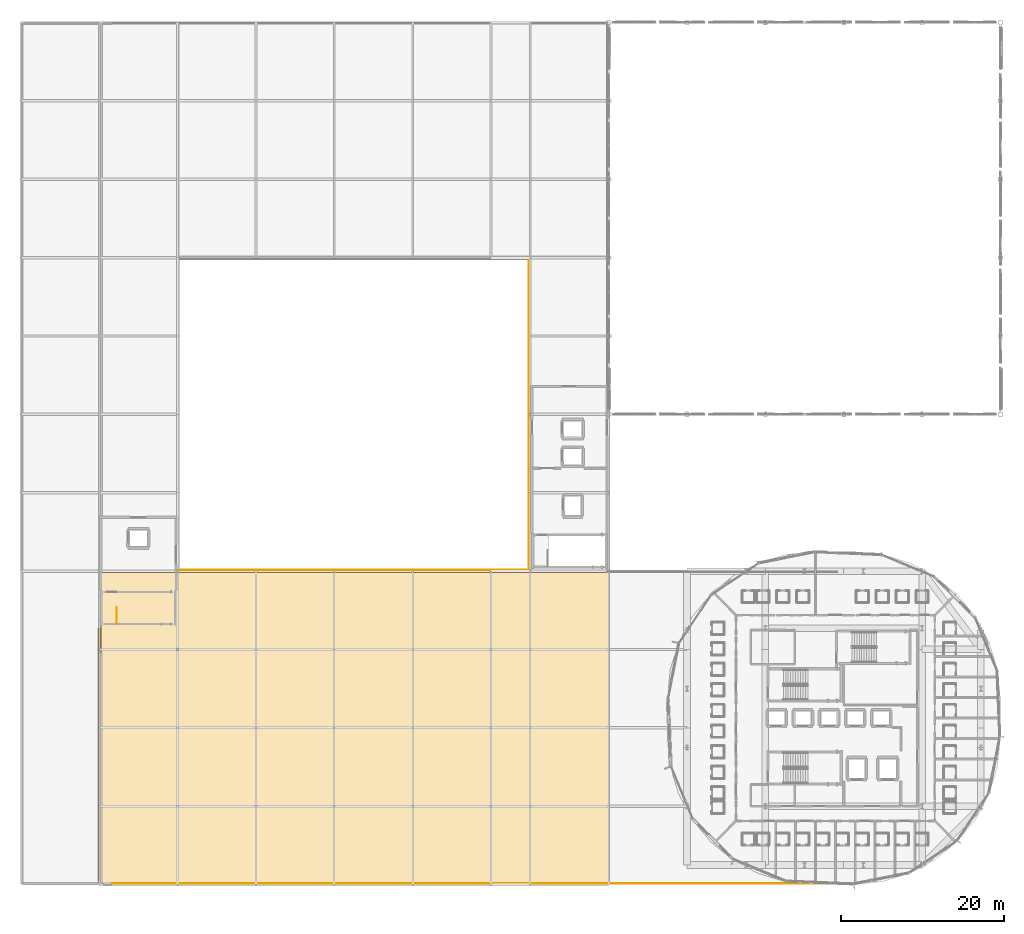
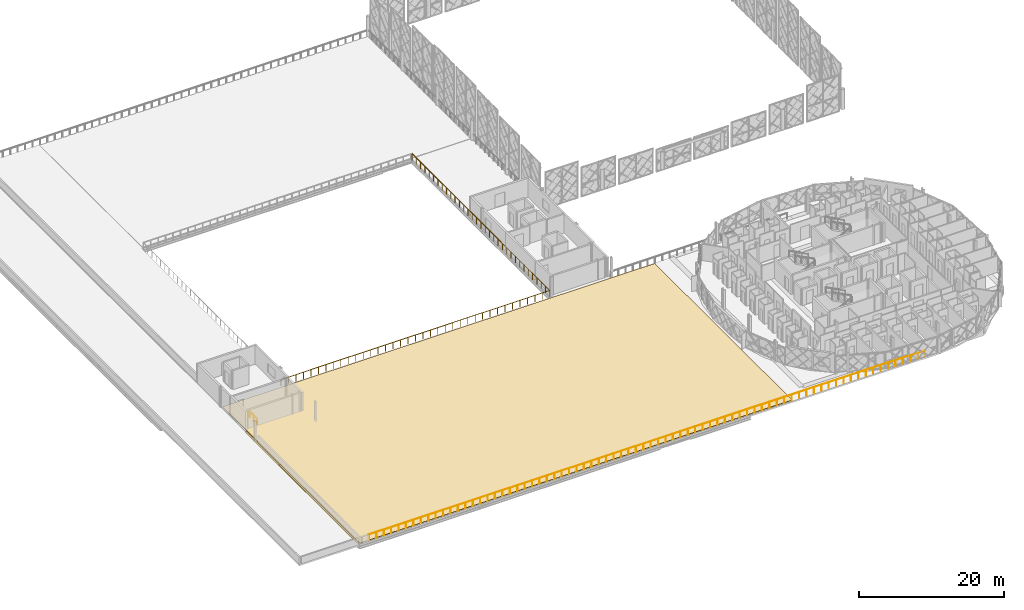
# One storey, part 39 of 53: 3 railings, 2 coverings.
"""IFC4 building model written with IfcOpenShell, lengths in metres."""

from ifc_helpers import new_model, si_unit, direction, frame, origin, origin_2d, place, context, subcontext, project, spatial, polyline, circle, outline, extrude, material, layer, layer_set, type_object, element, save


model = new_model("IFC4")

# Units and contexts
model_context = context("Model", 3, precision=1e-05, world=origin(), true_north=direction((0.0, 1.0)))
body_context = subcontext(model_context, "Body", "Model", "MODEL_VIEW")
ifc_project = project(units=[si_unit("LENGTHUNIT", "METRE"), si_unit("AREAUNIT", "SQUARE_METRE"), si_unit("VOLUMEUNIT", "CUBIC_METRE"), si_unit("PLANEANGLEUNIT", "RADIAN"), si_unit("MASSUNIT", "GRAM", prefix="KILO")], contexts=[model_context])

# Site, building, storey
site_placement = place(None, origin())
site = spatial("IfcSite", under=ifc_project, at=site_placement, CompositionType="ELEMENT")
building_placement = place(site_placement, origin())
building = spatial("IfcBuilding", under=site, at=building_placement, Name="Zevrakil Square Congress Hotel", CompositionType="ELEMENT")
storey_placement = place(building_placement, frame((0.0, 0.0, 14.699951171875)))
storey = spatial("IfcBuildingStorey", under=building, at=storey_placement, Name="L04", CompositionType="ELEMENT", Elevation=14.699951171875)

# Coverings
ifc_material_1 = material(Name="Honed Addis Basalt Stone Flooring", Category="masonry")
ifc_layer_1 = layer(ifc_material_1, 0.030029296875)
ifc_layer_set_1 = layer_set([ifc_layer_1], Name="Honed Addis Basalt Stone Flooring")
covering_type_1 = type_object("IfcCoveringType", Name="COV-FLOR-BASALT-030", PredefinedType="FLOORING", material=ifc_layer_set_1)
covering_1_placement = place(storey_placement, origin())
element("IfcCovering", 1, at=covering_1_placement, inside=storey, type_object=covering_type_1, Name="L04 flush movement-joint floor cover plate 11", PredefinedType="FLOORING", context=body_context, shape_type="SweptSolid", body=[
    extrude(outline(polyline([(55.080078125, 7.60009765625), (55.320068359375, 7.60009765625), (55.320068359375, 38.60009765625), (55.080078125, 38.60009765625), (55.080078125, 7.60009765625)])), origin(), (0.0, 0.0, 1.0), 0.030029296875),
])
ifc_material_2 = material(Name="EPDM Weatherproof Roof Membrane")
ifc_layer_2 = layer(ifc_material_2, 0.06005859375)
ifc_layer_set_2 = layer_set([ifc_layer_2], Name="EPDM Weatherproof Roof Membrane")
covering_type_2 = type_object("IfcCoveringType", Name="COV-ROOF-MEMB-060", PredefinedType="ROOFING", material=ifc_layer_set_2)
covering_2_placement = place(storey_placement, origin())
element("IfcCovering", 2, at=covering_2_placement, inside=storey, type_object=covering_type_2, Name="L04 weatherproof roof membrane covering COV-ROOF-L04-STH", PredefinedType="ROOFING", context=body_context, shape_type="SweptSolid", body=[
    extrude(outline(polyline([(55.39990234375, 7.39990234375), (124.39990234375, 7.39990234375), (124.39990234375, 45.39990234375), (55.39990234375, 45.39990234375), (55.39990234375, 7.39990234375)])), origin(), (0.0, 0.0, 1.0), 0.06005859375),
])

# Railings
ifc_material_3 = material(Name="Steel S355", Category="steel")
railing_type_1 = type_object("IfcRailingType", Name="RLG-STAIR-GUARD-1100", PredefinedType="BALUSTRADE", material=ifc_material_3)
railing_1_placement = place(storey_placement, frame((57.35009765625, 39.199951171875, 0.0)))
element("IfcRailing", 3, at=railing_1_placement, inside=storey, type_object=railing_type_1, Name="L04 ST04 top well guard 1", PredefinedType="BALUSTRADE", context=body_context, shape_type="SweptSolid", body=[
    extrude(circle(Radius=0.02392578125, at=origin_2d()), frame((0.0, 0.0, 1.076171875), z_axis=(0.0, 1.0, 0.0), x_axis=(-1.0, 0.0, 0.0)), (0.0, 0.0, 1.0), 1.949951171875),
    extrude(circle(Radius=0.02099609375, at=origin_2d()), origin(), (0.0, 0.0, 1.0), 1.052001953125),
    extrude(circle(Radius=0.02099609375, at=origin_2d()), frame((0.0, 0.97509765625, 0.0)), (0.0, 0.0, 1.0), 1.052001953125),
    extrude(circle(Radius=0.02099609375, at=origin_2d()), frame((0.0, 1.949951171875, 0.0)), (0.0, 0.0, 1.0), 1.052001953125),
])
ifc_material_4 = material(Name="Steel S355", Category="steel")
railing_type_2 = type_object("IfcRailingType", Name="RLG-TERR-1100", PredefinedType="BALUSTRADE", material=ifc_material_4)
railing_2_placement = place(storey_placement, frame((56.800048828125, 7.320068359375, 0.0)))
element("IfcRailing", 4, at=railing_2_placement, inside=storey, type_object=railing_type_2, Name="L04 terrace and void safety balustrade guard 34", PredefinedType="BALUSTRADE", context=body_context, shape_type="SweptSolid", body=[
    extrude(circle(Radius=0.02392578125, at=origin_2d()), frame((0.0, 0.0, 1.076171875), z_axis=(1.0, 0.0, 0.0), x_axis=(0.0, 1.0, 0.0)), (0.0, 0.0, 1.0), 88.800048828125),
    extrude(circle(Radius=0.02099609375, at=origin_2d()), origin(), (0.0, 0.0, 1.0), 1.052001953125),
    extrude(circle(Radius=0.02099609375, at=origin_2d()), frame((1.18408203125, 0.0, 0.0)), (0.0, 0.0, 1.0), 1.052001953125),
    extrude(circle(Radius=0.02099609375, at=origin_2d()), frame((2.367919921875, 0.0, 0.0)), (0.0, 0.0, 1.0), 1.052001953125),
    extrude(circle(Radius=0.02099609375, at=origin_2d()), frame((3.552001953125, 0.0, 0.0)), (0.0, 0.0, 1.0), 1.052001953125),
    extrude(circle(Radius=0.02099609375, at=origin_2d()), frame((4.736083984375, 0.0, 0.0)), (0.0, 0.0, 1.0), 1.052001953125),
    extrude(circle(Radius=0.02099609375, at=origin_2d()), frame((5.919921875, 0.0, 0.0)), (0.0, 0.0, 1.0), 1.052001953125),
    extrude(circle(Radius=0.02099609375, at=origin_2d()), frame((7.10400390625, 0.0, 0.0)), (0.0, 0.0, 1.0), 1.052001953125),
    extrude(circle(Radius=0.02099609375, at=origin_2d()), frame((8.2880859375, 0.0, 0.0)), (0.0, 0.0, 1.0), 1.052001953125),
    extrude(circle(Radius=0.02099609375, at=origin_2d()), frame((9.471923828125, 0.0, 0.0)), (0.0, 0.0, 1.0), 1.052001953125),
    extrude(circle(Radius=0.02099609375, at=origin_2d()), frame((10.656005859375, 0.0, 0.0)), (0.0, 0.0, 1.0), 1.052001953125),
    extrude(circle(Radius=0.02099609375, at=origin_2d()), frame((11.840087890625, 0.0, 0.0)), (0.0, 0.0, 1.0), 1.052001953125),
    extrude(circle(Radius=0.02099609375, at=origin_2d()), frame((13.02392578125, 0.0, 0.0)), (0.0, 0.0, 1.0), 1.052001953125),
    extrude(circle(Radius=0.02099609375, at=origin_2d()), frame((14.2080078125, 0.0, 0.0)), (0.0, 0.0, 1.0), 1.052001953125),
    extrude(circle(Radius=0.02099609375, at=origin_2d()), frame((15.39208984375, 0.0, 0.0)), (0.0, 0.0, 1.0), 1.052001953125),
    extrude(circle(Radius=0.02099609375, at=origin_2d()), frame((16.575927734375, 0.0, 0.0)), (0.0, 0.0, 1.0), 1.052001953125),
    extrude(circle(Radius=0.02099609375, at=origin_2d()), frame((17.760009765625, 0.0, 0.0)), (0.0, 0.0, 1.0), 1.052001953125),
    extrude(circle(Radius=0.02099609375, at=origin_2d()), frame((18.944091796875, 0.0, 0.0)), (0.0, 0.0, 1.0), 1.052001953125),
    extrude(circle(Radius=0.02099609375, at=origin_2d()), frame((20.1279296875, 0.0, 0.0)), (0.0, 0.0, 1.0), 1.052001953125),
    extrude(circle(Radius=0.02099609375, at=origin_2d()), frame((21.31201171875, 0.0, 0.0)), (0.0, 0.0, 1.0), 1.052001953125),
    extrude(circle(Radius=0.02099609375, at=origin_2d()), frame((22.49609375, 0.0, 0.0)), (0.0, 0.0, 1.0), 1.052001953125),
    extrude(circle(Radius=0.02099609375, at=origin_2d()), frame((23.679931640625, 0.0, 0.0)), (0.0, 0.0, 1.0), 1.052001953125),
    extrude(circle(Radius=0.02099609375, at=origin_2d()), frame((24.864013671875, 0.0, 0.0)), (0.0, 0.0, 1.0), 1.052001953125),
    extrude(circle(Radius=0.02099609375, at=origin_2d()), frame((26.048095703125, 0.0, 0.0)), (0.0, 0.0, 1.0), 1.052001953125),
    extrude(circle(Radius=0.02099609375, at=origin_2d()), frame((27.23193359375, 0.0, 0.0)), (0.0, 0.0, 1.0), 1.052001953125),
    extrude(circle(Radius=0.02099609375, at=origin_2d()), frame((28.416015625, 0.0, 0.0)), (0.0, 0.0, 1.0), 1.052001953125),
    extrude(circle(Radius=0.02099609375, at=origin_2d()), frame((29.60009765625, 0.0, 0.0)), (0.0, 0.0, 1.0), 1.052001953125),
    extrude(circle(Radius=0.02099609375, at=origin_2d()), frame((30.783935546875, 0.0, 0.0)), (0.0, 0.0, 1.0), 1.052001953125),
    extrude(circle(Radius=0.02099609375, at=origin_2d()), frame((31.968017578125, 0.0, 0.0)), (0.0, 0.0, 1.0), 1.052001953125),
    extrude(circle(Radius=0.02099609375, at=origin_2d()), frame((33.152099609375, 0.0, 0.0)), (0.0, 0.0, 1.0), 1.052001953125),
    extrude(circle(Radius=0.02099609375, at=origin_2d()), frame((34.3359375, 0.0, 0.0)), (0.0, 0.0, 1.0), 1.052001953125),
    extrude(circle(Radius=0.02099609375, at=origin_2d()), frame((35.52001953125, 0.0, 0.0)), (0.0, 0.0, 1.0), 1.052001953125),
    extrude(circle(Radius=0.02099609375, at=origin_2d()), frame((36.7041015625, 0.0, 0.0)), (0.0, 0.0, 1.0), 1.052001953125),
    extrude(circle(Radius=0.02099609375, at=origin_2d()), frame((37.887939453125, 0.0, 0.0)), (0.0, 0.0, 1.0), 1.052001953125),
    extrude(circle(Radius=0.02099609375, at=origin_2d()), frame((39.072021484375, 0.0, 0.0)), (0.0, 0.0, 1.0), 1.052001953125),
    extrude(circle(Radius=0.02099609375, at=origin_2d()), frame((40.256103515625, 0.0, 0.0)), (0.0, 0.0, 1.0), 1.052001953125),
    extrude(circle(Radius=0.02099609375, at=origin_2d()), frame((41.43994140625, 0.0, 0.0)), (0.0, 0.0, 1.0), 1.052001953125),
    extrude(circle(Radius=0.02099609375, at=origin_2d()), frame((42.6240234375, 0.0, 0.0)), (0.0, 0.0, 1.0), 1.052001953125),
    extrude(circle(Radius=0.02099609375, at=origin_2d()), frame((43.80810546875, 0.0, 0.0)), (0.0, 0.0, 1.0), 1.052001953125),
    extrude(circle(Radius=0.02099609375, at=origin_2d()), frame((44.991943359375, 0.0, 0.0)), (0.0, 0.0, 1.0), 1.052001953125),
    extrude(circle(Radius=0.02099609375, at=origin_2d()), frame((46.176025390625, 0.0, 0.0)), (0.0, 0.0, 1.0), 1.052001953125),
    extrude(circle(Radius=0.02099609375, at=origin_2d()), frame((47.360107421875, 0.0, 0.0)), (0.0, 0.0, 1.0), 1.052001953125),
    extrude(circle(Radius=0.02099609375, at=origin_2d()), frame((48.5439453125, 0.0, 0.0)), (0.0, 0.0, 1.0), 1.052001953125),
    extrude(circle(Radius=0.02099609375, at=origin_2d()), frame((49.72802734375, 0.0, 0.0)), (0.0, 0.0, 1.0), 1.052001953125),
    extrude(circle(Radius=0.02099609375, at=origin_2d()), frame((50.912109375, 0.0, 0.0)), (0.0, 0.0, 1.0), 1.052001953125),
    extrude(circle(Radius=0.02099609375, at=origin_2d()), frame((52.095947265625, 0.0, 0.0)), (0.0, 0.0, 1.0), 1.052001953125),
    extrude(circle(Radius=0.02099609375, at=origin_2d()), frame((53.280029296875, 0.0, 0.0)), (0.0, 0.0, 1.0), 1.052001953125),
    extrude(circle(Radius=0.02099609375, at=origin_2d()), frame((54.464111328125, 0.0, 0.0)), (0.0, 0.0, 1.0), 1.052001953125),
    extrude(circle(Radius=0.02099609375, at=origin_2d()), frame((55.64794921875, 0.0, 0.0)), (0.0, 0.0, 1.0), 1.052001953125),
    extrude(circle(Radius=0.02099609375, at=origin_2d()), frame((56.83203125, 0.0, 0.0)), (0.0, 0.0, 1.0), 1.052001953125),
    extrude(circle(Radius=0.02099609375, at=origin_2d()), frame((58.01611328125, 0.0, 0.0)), (0.0, 0.0, 1.0), 1.052001953125),
    extrude(circle(Radius=0.02099609375, at=origin_2d()), frame((59.199951171875, 0.0, 0.0)), (0.0, 0.0, 1.0), 1.052001953125),
    extrude(circle(Radius=0.02099609375, at=origin_2d()), frame((60.384033203125, 0.0, 0.0)), (0.0, 0.0, 1.0), 1.052001953125),
    extrude(circle(Radius=0.02099609375, at=origin_2d()), frame((61.568115234375, 0.0, 0.0)), (0.0, 0.0, 1.0), 1.052001953125),
    extrude(circle(Radius=0.02099609375, at=origin_2d()), frame((62.751953125, 0.0, 0.0)), (0.0, 0.0, 1.0), 1.052001953125),
    extrude(circle(Radius=0.02099609375, at=origin_2d()), frame((63.93603515625, 0.0, 0.0)), (0.0, 0.0, 1.0), 1.052001953125),
    extrude(circle(Radius=0.02099609375, at=origin_2d()), frame((65.1201171875, 0.0, 0.0)), (0.0, 0.0, 1.0), 1.052001953125),
    extrude(circle(Radius=0.02099609375, at=origin_2d()), frame((66.303955078125, 0.0, 0.0)), (0.0, 0.0, 1.0), 1.052001953125),
    extrude(circle(Radius=0.02099609375, at=origin_2d()), frame((67.488037109375, 0.0, 0.0)), (0.0, 0.0, 1.0), 1.052001953125),
    extrude(circle(Radius=0.02099609375, at=origin_2d()), frame((68.672119140625, 0.0, 0.0)), (0.0, 0.0, 1.0), 1.052001953125),
    extrude(circle(Radius=0.02099609375, at=origin_2d()), frame((69.85595703125, 0.0, 0.0)), (0.0, 0.0, 1.0), 1.052001953125),
    extrude(circle(Radius=0.02099609375, at=origin_2d()), frame((71.0400390625, 0.0, 0.0)), (0.0, 0.0, 1.0), 1.052001953125),
    extrude(circle(Radius=0.02099609375, at=origin_2d()), frame((72.22412109375, 0.0, 0.0)), (0.0, 0.0, 1.0), 1.052001953125),
    extrude(circle(Radius=0.02099609375, at=origin_2d()), frame((73.407958984375, 0.0, 0.0)), (0.0, 0.0, 1.0), 1.052001953125),
    extrude(circle(Radius=0.02099609375, at=origin_2d()), frame((74.592041015625, 0.0, 0.0)), (0.0, 0.0, 1.0), 1.052001953125),
    extrude(circle(Radius=0.02099609375, at=origin_2d()), frame((75.776123046875, 0.0, 0.0)), (0.0, 0.0, 1.0), 1.052001953125),
    extrude(circle(Radius=0.02099609375, at=origin_2d()), frame((76.9599609375, 0.0, 0.0)), (0.0, 0.0, 1.0), 1.052001953125),
    extrude(circle(Radius=0.02099609375, at=origin_2d()), frame((78.14404296875, 0.0, 0.0)), (0.0, 0.0, 1.0), 1.052001953125),
    extrude(circle(Radius=0.02099609375, at=origin_2d()), frame((79.328125, 0.0, 0.0)), (0.0, 0.0, 1.0), 1.052001953125),
    extrude(circle(Radius=0.02099609375, at=origin_2d()), frame((80.511962890625, 0.0, 0.0)), (0.0, 0.0, 1.0), 1.052001953125),
    extrude(circle(Radius=0.02099609375, at=origin_2d()), frame((81.696044921875, 0.0, 0.0)), (0.0, 0.0, 1.0), 1.052001953125),
    extrude(circle(Radius=0.02099609375, at=origin_2d()), frame((82.880126953125, 0.0, 0.0)), (0.0, 0.0, 1.0), 1.052001953125),
    extrude(circle(Radius=0.02099609375, at=origin_2d()), frame((84.06396484375, 0.0, 0.0)), (0.0, 0.0, 1.0), 1.052001953125),
    extrude(circle(Radius=0.02099609375, at=origin_2d()), frame((85.248046875, 0.0, 0.0)), (0.0, 0.0, 1.0), 1.052001953125),
    extrude(circle(Radius=0.02099609375, at=origin_2d()), frame((86.43212890625, 0.0, 0.0)), (0.0, 0.0, 1.0), 1.052001953125),
    extrude(circle(Radius=0.02099609375, at=origin_2d()), frame((87.615966796875, 0.0, 0.0)), (0.0, 0.0, 1.0), 1.052001953125),
    extrude(circle(Radius=0.02099609375, at=origin_2d()), frame((88.800048828125, 0.0, 0.0)), (0.0, 0.0, 1.0), 1.052001953125),
])
railing_3_placement = place(storey_placement, frame((64.949951171875, 45.75, 0.0)))
element("IfcRailing", 5, at=railing_3_placement, inside=storey, type_object=railing_type_2, Name="L04 terrace and void safety balustrade guard 36", PredefinedType="BALUSTRADE", context=body_context, shape_type="SweptSolid", body=[
    extrude(circle(Radius=0.02392578125, at=origin_2d()), frame((0.0, 0.0, 1.076171875), z_axis=(1.0, 0.0, 0.0), x_axis=(0.0, 1.0, 0.0)), (0.0, 0.0, 1.0), 42.900146484375),
    extrude(circle(Radius=0.02392578125, at=origin_2d()), frame((42.900146484375, 0.0, 1.076171875), z_axis=(0.0, 1.0, 0.0), x_axis=(-1.0, 0.0, 0.0)), (0.0, 0.0, 1.0), 38.10009765625),
    extrude(circle(Radius=0.02099609375, at=origin_2d()), origin(), (0.0, 0.0, 1.0), 1.052001953125),
    extrude(circle(Radius=0.02099609375, at=origin_2d()), frame((1.191650390625, 0.0, 0.0)), (0.0, 0.0, 1.0), 1.052001953125),
    extrude(circle(Radius=0.02099609375, at=origin_2d()), frame((2.38330078125, 0.0, 0.0)), (0.0, 0.0, 1.0), 1.052001953125),
    extrude(circle(Radius=0.02099609375, at=origin_2d()), frame((3.574951171875, 0.0, 0.0)), (0.0, 0.0, 1.0), 1.052001953125),
    extrude(circle(Radius=0.02099609375, at=origin_2d()), frame((4.7666015625, 0.0, 0.0)), (0.0, 0.0, 1.0), 1.052001953125),
    extrude(circle(Radius=0.02099609375, at=origin_2d()), frame((5.958251953125, 0.0, 0.0)), (0.0, 0.0, 1.0), 1.052001953125),
    extrude(circle(Radius=0.02099609375, at=origin_2d()), frame((7.14990234375, 0.0, 0.0)), (0.0, 0.0, 1.0), 1.052001953125),
    extrude(circle(Radius=0.02099609375, at=origin_2d()), frame((8.341796875, 0.0, 0.0)), (0.0, 0.0, 1.0), 1.052001953125),
    extrude(circle(Radius=0.02099609375, at=origin_2d()), frame((9.533447265625, 0.0, 0.0)), (0.0, 0.0, 1.0), 1.052001953125),
    extrude(circle(Radius=0.02099609375, at=origin_2d()), frame((10.72509765625, 0.0, 0.0)), (0.0, 0.0, 1.0), 1.052001953125),
    extrude(circle(Radius=0.02099609375, at=origin_2d()), frame((11.916748046875, 0.0, 0.0)), (0.0, 0.0, 1.0), 1.052001953125),
    extrude(circle(Radius=0.02099609375, at=origin_2d()), frame((13.1083984375, 0.0, 0.0)), (0.0, 0.0, 1.0), 1.052001953125),
    extrude(circle(Radius=0.02099609375, at=origin_2d()), frame((14.300048828125, 0.0, 0.0)), (0.0, 0.0, 1.0), 1.052001953125),
    extrude(circle(Radius=0.02099609375, at=origin_2d()), frame((15.49169921875, 0.0, 0.0)), (0.0, 0.0, 1.0), 1.052001953125),
    extrude(circle(Radius=0.02099609375, at=origin_2d()), frame((16.683349609375, 0.0, 0.0)), (0.0, 0.0, 1.0), 1.052001953125),
    extrude(circle(Radius=0.02099609375, at=origin_2d()), frame((17.875, 0.0, 0.0)), (0.0, 0.0, 1.0), 1.052001953125),
    extrude(circle(Radius=0.02099609375, at=origin_2d()), frame((19.066650390625, 0.0, 0.0)), (0.0, 0.0, 1.0), 1.052001953125),
    extrude(circle(Radius=0.02099609375, at=origin_2d()), frame((20.25830078125, 0.0, 0.0)), (0.0, 0.0, 1.0), 1.052001953125),
    extrude(circle(Radius=0.02099609375, at=origin_2d()), frame((21.4501953125, 0.0, 0.0)), (0.0, 0.0, 1.0), 1.052001953125),
    extrude(circle(Radius=0.02099609375, at=origin_2d()), frame((22.641845703125, 0.0, 0.0)), (0.0, 0.0, 1.0), 1.052001953125),
    extrude(circle(Radius=0.02099609375, at=origin_2d()), frame((23.83349609375, 0.0, 0.0)), (0.0, 0.0, 1.0), 1.052001953125),
    extrude(circle(Radius=0.02099609375, at=origin_2d()), frame((25.025146484375, 0.0, 0.0)), (0.0, 0.0, 1.0), 1.052001953125),
    extrude(circle(Radius=0.02099609375, at=origin_2d()), frame((26.216796875, 0.0, 0.0)), (0.0, 0.0, 1.0), 1.052001953125),
    extrude(circle(Radius=0.02099609375, at=origin_2d()), frame((27.408447265625, 0.0, 0.0)), (0.0, 0.0, 1.0), 1.052001953125),
    extrude(circle(Radius=0.02099609375, at=origin_2d()), frame((28.60009765625, 0.0, 0.0)), (0.0, 0.0, 1.0), 1.052001953125),
    extrude(circle(Radius=0.02099609375, at=origin_2d()), frame((29.791748046875, 0.0, 0.0)), (0.0, 0.0, 1.0), 1.052001953125),
    extrude(circle(Radius=0.02099609375, at=origin_2d()), frame((30.9833984375, 0.0, 0.0)), (0.0, 0.0, 1.0), 1.052001953125),
    extrude(circle(Radius=0.02099609375, at=origin_2d()), frame((32.175048828125, 0.0, 0.0)), (0.0, 0.0, 1.0), 1.052001953125),
    extrude(circle(Radius=0.02099609375, at=origin_2d()), frame((33.36669921875, 0.0, 0.0)), (0.0, 0.0, 1.0), 1.052001953125),
    extrude(circle(Radius=0.02099609375, at=origin_2d()), frame((34.558349609375, 0.0, 0.0)), (0.0, 0.0, 1.0), 1.052001953125),
    extrude(circle(Radius=0.02099609375, at=origin_2d()), frame((35.75, 0.0, 0.0)), (0.0, 0.0, 1.0), 1.052001953125),
    extrude(circle(Radius=0.02099609375, at=origin_2d()), frame((36.94189453125, 0.0, 0.0)), (0.0, 0.0, 1.0), 1.052001953125),
    extrude(circle(Radius=0.02099609375, at=origin_2d()), frame((38.133544921875, 0.0, 0.0)), (0.0, 0.0, 1.0), 1.052001953125),
    extrude(circle(Radius=0.02099609375, at=origin_2d()), frame((39.3251953125, 0.0, 0.0)), (0.0, 0.0, 1.0), 1.052001953125),
    extrude(circle(Radius=0.02099609375, at=origin_2d()), frame((40.516845703125, 0.0, 0.0)), (0.0, 0.0, 1.0), 1.052001953125),
    extrude(circle(Radius=0.02099609375, at=origin_2d()), frame((41.70849609375, 0.0, 0.0)), (0.0, 0.0, 1.0), 1.052001953125),
    extrude(circle(Radius=0.02099609375, at=origin_2d()), frame((42.900146484375, 0.0, 0.0)), (0.0, 0.0, 1.0), 1.052001953125),
    extrude(circle(Radius=0.02099609375, at=origin_2d()), frame((42.900146484375, 1.190673828125, 0.0)), (0.0, 0.0, 1.0), 1.052001953125),
    extrude(circle(Radius=0.02099609375, at=origin_2d()), frame((42.900146484375, 2.38134765625, 0.0)), (0.0, 0.0, 1.0), 1.052001953125),
    extrude(circle(Radius=0.02099609375, at=origin_2d()), frame((42.900146484375, 3.57177734375, 0.0)), (0.0, 0.0, 1.0), 1.052001953125),
    extrude(circle(Radius=0.02099609375, at=origin_2d()), frame((42.900146484375, 4.762451171875, 0.0)), (0.0, 0.0, 1.0), 1.052001953125),
    extrude(circle(Radius=0.02099609375, at=origin_2d()), frame((42.900146484375, 5.953125, 0.0)), (0.0, 0.0, 1.0), 1.052001953125),
    extrude(circle(Radius=0.02099609375, at=origin_2d()), frame((42.900146484375, 7.143798828125, 0.0)), (0.0, 0.0, 1.0), 1.052001953125),
    extrude(circle(Radius=0.02099609375, at=origin_2d()), frame((42.900146484375, 8.33447265625, 0.0)), (0.0, 0.0, 1.0), 1.052001953125),
    extrude(circle(Radius=0.02099609375, at=origin_2d()), frame((42.900146484375, 9.52490234375, 0.0)), (0.0, 0.0, 1.0), 1.052001953125),
    extrude(circle(Radius=0.02099609375, at=origin_2d()), frame((42.900146484375, 10.715576171875, 0.0)), (0.0, 0.0, 1.0), 1.052001953125),
    extrude(circle(Radius=0.02099609375, at=origin_2d()), frame((42.900146484375, 11.90625, 0.0)), (0.0, 0.0, 1.0), 1.052001953125),
    extrude(circle(Radius=0.02099609375, at=origin_2d()), frame((42.900146484375, 13.096923828125, 0.0)), (0.0, 0.0, 1.0), 1.052001953125),
    extrude(circle(Radius=0.02099609375, at=origin_2d()), frame((42.900146484375, 14.28759765625, 0.0)), (0.0, 0.0, 1.0), 1.052001953125),
    extrude(circle(Radius=0.02099609375, at=origin_2d()), frame((42.900146484375, 15.478271484375, 0.0)), (0.0, 0.0, 1.0), 1.052001953125),
    extrude(circle(Radius=0.02099609375, at=origin_2d()), frame((42.900146484375, 16.668701171875, 0.0)), (0.0, 0.0, 1.0), 1.052001953125),
    extrude(circle(Radius=0.02099609375, at=origin_2d()), frame((42.900146484375, 17.859375, 0.0)), (0.0, 0.0, 1.0), 1.052001953125),
    extrude(circle(Radius=0.02099609375, at=origin_2d()), frame((42.900146484375, 19.050048828125, 0.0)), (0.0, 0.0, 1.0), 1.052001953125),
    extrude(circle(Radius=0.02099609375, at=origin_2d()), frame((42.900146484375, 20.24072265625, 0.0)), (0.0, 0.0, 1.0), 1.052001953125),
    extrude(circle(Radius=0.02099609375, at=origin_2d()), frame((42.900146484375, 21.431396484375, 0.0)), (0.0, 0.0, 1.0), 1.052001953125),
    extrude(circle(Radius=0.02099609375, at=origin_2d()), frame((42.900146484375, 22.621826171875, 0.0)), (0.0, 0.0, 1.0), 1.052001953125),
    extrude(circle(Radius=0.02099609375, at=origin_2d()), frame((42.900146484375, 23.8125, 0.0)), (0.0, 0.0, 1.0), 1.052001953125),
    extrude(circle(Radius=0.02099609375, at=origin_2d()), frame((42.900146484375, 25.003173828125, 0.0)), (0.0, 0.0, 1.0), 1.052001953125),
    extrude(circle(Radius=0.02099609375, at=origin_2d()), frame((42.900146484375, 26.19384765625, 0.0)), (0.0, 0.0, 1.0), 1.052001953125),
    extrude(circle(Radius=0.02099609375, at=origin_2d()), frame((42.900146484375, 27.384521484375, 0.0)), (0.0, 0.0, 1.0), 1.052001953125),
    extrude(circle(Radius=0.02099609375, at=origin_2d()), frame((42.900146484375, 28.5751953125, 0.0)), (0.0, 0.0, 1.0), 1.052001953125),
    extrude(circle(Radius=0.02099609375, at=origin_2d()), frame((42.900146484375, 29.765625, 0.0)), (0.0, 0.0, 1.0), 1.052001953125),
    extrude(circle(Radius=0.02099609375, at=origin_2d()), frame((42.900146484375, 30.956298828125, 0.0)), (0.0, 0.0, 1.0), 1.052001953125),
    extrude(circle(Radius=0.02099609375, at=origin_2d()), frame((42.900146484375, 32.14697265625, 0.0)), (0.0, 0.0, 1.0), 1.052001953125),
    extrude(circle(Radius=0.02099609375, at=origin_2d()), frame((42.900146484375, 33.337646484375, 0.0)), (0.0, 0.0, 1.0), 1.052001953125),
    extrude(circle(Radius=0.02099609375, at=origin_2d()), frame((42.900146484375, 34.5283203125, 0.0)), (0.0, 0.0, 1.0), 1.052001953125),
    extrude(circle(Radius=0.02099609375, at=origin_2d()), frame((42.900146484375, 35.71875, 0.0)), (0.0, 0.0, 1.0), 1.052001953125),
    extrude(circle(Radius=0.02099609375, at=origin_2d()), frame((42.900146484375, 36.909423828125, 0.0)), (0.0, 0.0, 1.0), 1.052001953125),
    extrude(circle(Radius=0.02099609375, at=origin_2d()), frame((42.900146484375, 38.10009765625, 0.0)), (0.0, 0.0, 1.0), 1.052001953125),
])

save(model, "model.ifc")
